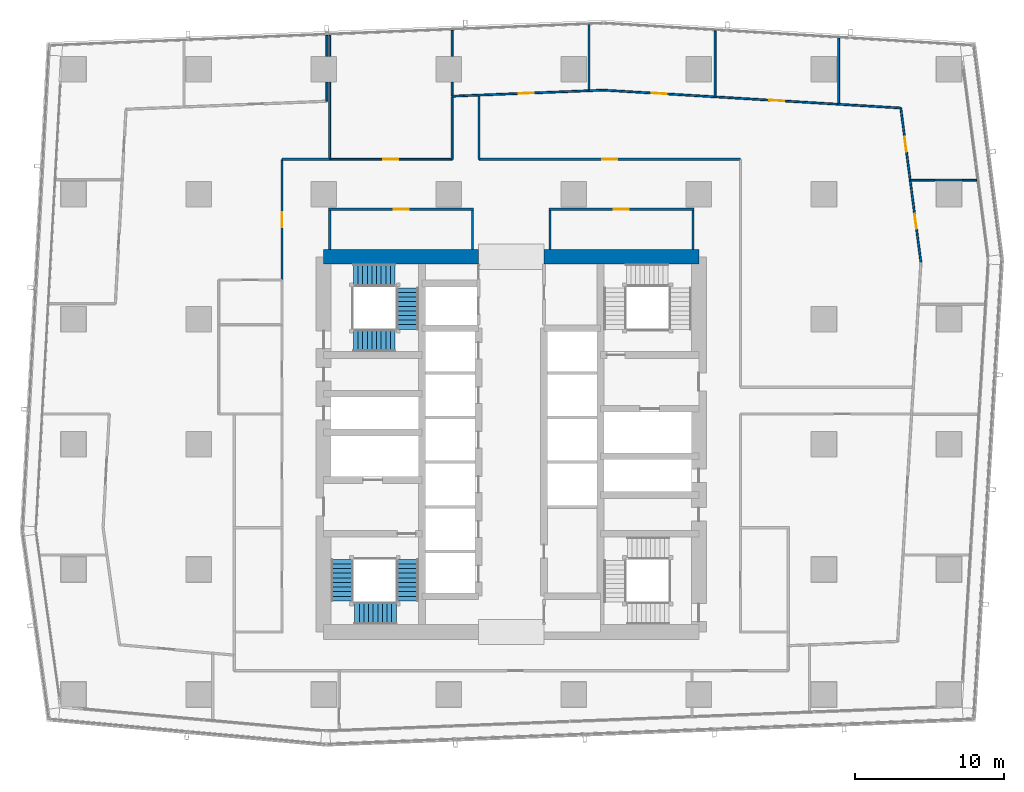
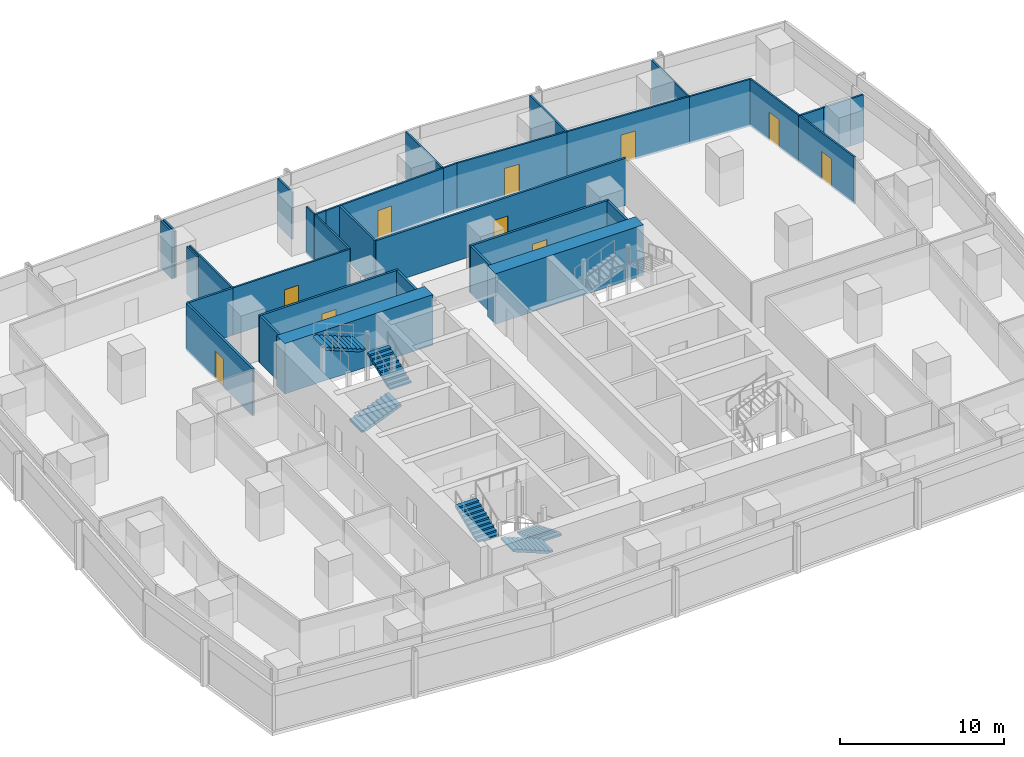
# One storey, part 31 of 40: 34 walls, 10 doors, 6 stair flights, 10 openings, 2 elements without a shape of their own.
"""IFC4 building model written with IfcOpenShell, lengths in metres."""

from ifc_helpers import new_model, si_unit, direction, frame, frame_2d, origin, place, context, subcontext, project, spatial, polyline, rectangle, outline, extrude, material, layer, layer_set, type_object, element, fill, aggregate, save


model = new_model("IFC4")

# Units and contexts
model_context = context("Model", 3, precision=1e-05, world=origin(), true_north=direction((0.0, 1.0)))
body_context = subcontext(model_context, "Body", "Model", "MODEL_VIEW")
ifc_project = project(units=[si_unit("LENGTHUNIT", "METRE"), si_unit("AREAUNIT", "SQUARE_METRE"), si_unit("VOLUMEUNIT", "CUBIC_METRE"), si_unit("PLANEANGLEUNIT", "RADIAN"), si_unit("MASSUNIT", "GRAM", prefix="KILO")], contexts=[model_context])

# Site, building, storey
site_placement = place(None, origin())
site = spatial("IfcSite", under=ifc_project, at=site_placement, CompositionType="ELEMENT")
building_placement = place(site_placement, origin())
building = spatial("IfcBuilding", under=site, at=building_placement, Name="Rekha Terrace Tower", CompositionType="ELEMENT")
storey_placement = place(building_placement, frame((0.0, 0.0, 102.800048828125)))
storey = spatial("IfcBuildingStorey", under=building, at=storey_placement, Name="L25", CompositionType="ELEMENT", Elevation=102.800048828125)

# Walls
ifc_material_1 = material(Name="Concrete M70", Category="concrete")
ifc_layer_1 = layer(ifc_material_1, 1.0)
ifc_layer_set_1 = layer_set([ifc_layer_1], Name="Concrete M70")
wall_type_1 = type_object("IfcWallType", Name="SW2 1000 core outer shear wall", PredefinedType="SHEAR", material=ifc_layer_set_1)
wall_1_placement = place(storey_placement, frame((25.199951171875, 46.199951171875, 0.0), z_axis=(0.0, 0.0, 1.0), x_axis=(1.0, 0.0, 0.0)))
element("IfcWall", 1, at=wall_1_placement, inside=storey, type_object=wall_type_1, Name="Core wall N1 L25", PredefinedType="SHEAR", context=body_context, shape_type="SweptSolid", body=[
    extrude(rectangle(XDim=10.400146484375, YDim=1.0, at=frame_2d((5.2001953125, 0.0))), origin(), (0.0, 0.0, 1.0), 3.75),
])
wall_2_placement = place(storey_placement, frame((40.0, 46.199951171875, 0.0), z_axis=(0.0, 0.0, 1.0), x_axis=(1.0, 0.0, 0.0)))
element("IfcWall", 2, at=wall_2_placement, inside=storey, type_object=wall_type_1, Name="Core wall N2 L25", PredefinedType="SHEAR", context=body_context, shape_type="SweptSolid", body=[
    extrude(rectangle(XDim=10.39990234375, YDim=1.0, at=frame_2d((5.199951171875, 0.0))), origin(), (0.0, 0.0, 1.0), 3.75),
])

# Wall, opening, door
ifc_material_2 = material(Name="Concrete block masonry, 1 hour", Category="masonry")
ifc_layer_2 = layer(ifc_material_2, 0.14990234375)
ifc_layer_set_2 = layer_set([ifc_layer_2], Name="Concrete block masonry, 1 hour")
wall_type_2 = type_object("IfcWallType", Name="WP2 150 tenancy partition", PredefinedType="PARTITIONING", material=ifc_layer_set_2)
wall_3_placement = place(storey_placement, frame((40.324951171875, 49.39990234375, 0.0), z_axis=(0.0, 0.0, 1.0), x_axis=(1.0, 0.0, 0.0)))
wall_3 = element("IfcWall", 3, at=wall_3_placement, inside=storey, type_object=wall_type_2, Name="Women's WC wall L25", PredefinedType="PARTITIONING", context=body_context, shape_type="SweptSolid", body=[
    extrude(rectangle(XDim=9.75, YDim=0.14990234375, at=frame_2d((4.875, 0.0))), origin(), (0.0, 0.0, 1.0), 3.5),
])
opening_1_placement = place(wall_3_placement, frame((4.375, 0.0, 0.0)))
opening_1 = element("IfcOpeningElement", 4, at=opening_1_placement, cuts=wall_3, Name="Opening D3", PredefinedType="OPENING", context=body_context, shape_type="SweptSolid", body=[
    extrude(rectangle(XDim=1.0, YDim=2.10009765625, at=frame_2d((0.5, 1.050048828125))), frame((0.0, 0.0849609375, 0.0), z_axis=(0.0, -1.0, 0.0), x_axis=(1.0, 0.0, 0.0)), (0.0, 0.0, 1.0), 0.169921875),
])
ifc_material_3 = material(Name="Laminated timber fire door", Category="wood")
door_type_1 = type_object("IfcDoorType", Name="D3 1000x2100 WC door", OperationType="SINGLE_SWING_LEFT", PredefinedType="DOOR", material=ifc_material_3)
door_1_placement = place(opening_1_placement, origin())
door_1 = element("IfcDoor", 5, at=door_1_placement, inside=storey, type_object=door_type_1, Name="Door women's wc L25", OperationType="SINGLE_SWING_LEFT", OverallHeight=2.10009765625, OverallWidth=1.0, PredefinedType="DOOR", context=body_context, shape_type="SweptSolid", body=[
    extrude(rectangle(XDim=1.0, YDim=2.10009765625, at=frame_2d((0.5, 1.050048828125))), frame((0.0, 0.02490234375, 0.0), z_axis=(0.0, -1.0, 0.0), x_axis=(1.0, 0.0, 0.0)), (0.0, 0.0, 1.0), 0.050048828125),
])
fill(opening_1, door_1)

# Walls
for number, where, z_axis, x_axis, name in (
    (6, (40.39990234375, 46.699951171875, 0.0), (0.0, 0.0, 1.0), (0.0, 1.0, 0.0), "Women's WC wall L25"),
    (7, (50.0, 46.699951171875, 0.0), (0.0, 0.0, 1.0), (0.0, 1.0, 0.0), "Women's WC wall L25"),
):
    element("IfcWall", number, at=place(storey_placement, frame(where, z_axis=z_axis, x_axis=x_axis)), inside=storey, type_object=wall_type_2, Name=name, PredefinedType="PARTITIONING", context=body_context, shape_type="SweptSolid", body=[
        extrude(rectangle(XDim=2.625, YDim=0.14990234375, at=frame_2d((1.3125, 0.0))), origin(), (0.0, 0.0, 1.0), 3.5),
    ])

# Wall, opening, door
wall_4_placement = place(storey_placement, frame((25.52490234375, 49.39990234375, 0.0), z_axis=(0.0, 0.0, 1.0), x_axis=(1.0, 0.0, 0.0)))
wall_4 = element("IfcWall", 8, at=wall_4_placement, inside=storey, type_object=wall_type_2, Name="Women's WC wall L25", PredefinedType="PARTITIONING", context=body_context, shape_type="SweptSolid", body=[
    extrude(rectangle(XDim=9.75, YDim=0.14990234375, at=frame_2d((4.875, 0.0))), origin(), (0.0, 0.0, 1.0), 3.5),
])
opening_2_placement = place(wall_4_placement, frame((4.375, 0.0, 0.0)))
opening_2 = element("IfcOpeningElement", 9, at=opening_2_placement, cuts=wall_4, Name="Opening D3", PredefinedType="OPENING", context=body_context, shape_type="SweptSolid", body=[
    extrude(rectangle(XDim=1.0, YDim=2.10009765625, at=frame_2d((0.5, 1.050048828125))), frame((0.0, 0.0849609375, 0.0), z_axis=(0.0, -1.0, 0.0), x_axis=(1.0, 0.0, 0.0)), (0.0, 0.0, 1.0), 0.169921875),
])
door_2_placement = place(opening_2_placement, origin())
door_2 = element("IfcDoor", 10, at=door_2_placement, inside=storey, type_object=door_type_1, Name="Door women's wc L25", OperationType="SINGLE_SWING_LEFT", OverallHeight=2.10009765625, OverallWidth=1.0, PredefinedType="DOOR", context=body_context, shape_type="SweptSolid", body=[
    extrude(rectangle(XDim=1.0, YDim=2.10009765625, at=frame_2d((0.5, 1.050048828125))), frame((0.0, 0.02490234375, 0.0), z_axis=(0.0, -1.0, 0.0), x_axis=(1.0, 0.0, 0.0)), (0.0, 0.0, 1.0), 0.050048828125),
])
fill(opening_2, door_2)

# Walls
for number, where, z_axis, x_axis, name in (
    (11, (25.60009765625, 46.699951171875, 0.0), (0.0, 0.0, 1.0), (0.0, 1.0, 0.0), "Women's WC wall L25"),
    (12, (35.199951171875, 46.699951171875, 0.0), (0.0, 0.0, 1.0), (0.0, 1.0, 0.0), "Women's WC wall L25"),
):
    element("IfcWall", number, at=place(storey_placement, frame(where, z_axis=z_axis, x_axis=x_axis)), inside=storey, type_object=wall_type_2, Name=name, PredefinedType="PARTITIONING", context=body_context, shape_type="SweptSolid", body=[
        extrude(rectangle(XDim=2.625, YDim=0.14990234375, at=frame_2d((1.3125, 0.0))), origin(), (0.0, 0.0, 1.0), 3.5),
    ])
wall_5_placement = place(storey_placement, frame((66.260009765625, 51.35498046875, 0.0), z_axis=(0.0, 0.0, 1.0), x_axis=(1.0, 0.0, 0.0)))
element("IfcWall", 13, at=wall_5_placement, inside=storey, type_object=wall_type_2, Name="Partition L25-O1", PredefinedType="PARTITIONING", context=body_context, shape_type="SweptSolid", body=[
    extrude(rectangle(XDim=1.8798828125, YDim=0.14990234375, at=frame_2d((0.93994140625, 0.0))), origin(), (0.0, 0.0, 1.0), 3.5),
])

# Wall, opening, door
wall_6_placement = place(storey_placement, frame((53.199951171875, 52.75, 0.0), z_axis=(0.0, 0.0, 1.0), x_axis=(-1.0, 0.0, 0.0)))
wall_6 = element("IfcWall", 14, at=wall_6_placement, inside=storey, type_object=wall_type_2, Name="Partition L25-O1", PredefinedType="PARTITIONING", context=body_context, shape_type="SweptSolid", body=[
    extrude(rectangle(XDim=17.573974609375, YDim=0.14990234375, at=frame_2d((8.787109375, 0.0))), origin(), (0.0, 0.0, 1.0), 3.5),
])
opening_3_placement = place(wall_6_placement, frame((8.287109375, 0.0, 0.0)))
opening_3 = element("IfcOpeningElement", 15, at=opening_3_placement, cuts=wall_6, Name="Opening D9", PredefinedType="OPENING", context=body_context, shape_type="SweptSolid", body=[
    extrude(rectangle(XDim=1.0, YDim=2.10009765625, at=frame_2d((0.5, 1.050048828125))), frame((0.0, 0.0849609375, 0.0), z_axis=(0.0, -1.0, 0.0), x_axis=(1.0, 0.0, 0.0)), (0.0, 0.0, 1.0), 0.169921875),
])
ifc_material_4 = material(Name="Timber fire door", Category="wood")
door_type_2 = type_object("IfcDoorType", Name="D9 1000x2100 office door", OperationType="SINGLE_SWING_LEFT", PredefinedType="DOOR", material=ifc_material_4)
door_3_placement = place(opening_3_placement, origin())
door_3 = element("IfcDoor", 16, at=door_3_placement, inside=storey, type_object=door_type_2, Name="Door open-plan office L25", OperationType="SINGLE_SWING_LEFT", OverallHeight=2.10009765625, OverallWidth=1.0, PredefinedType="DOOR", context=body_context, shape_type="SweptSolid", body=[
    extrude(rectangle(XDim=1.0, YDim=2.10009765625, at=frame_2d((0.5, 1.050048828125))), frame((0.0, 0.02490234375, 0.0), z_axis=(0.0, -1.0, 0.0), x_axis=(1.0, 0.0, 0.0)), (0.0, 0.0, 1.0), 0.050048828125),
])
fill(opening_3, door_3)

# Walls
wall_7_placement = place(storey_placement, frame((35.6259765625, 52.75, 0.0), z_axis=(0.0, 0.0, 1.0), x_axis=(0.0, 1.0, 0.0)))
element("IfcWall", 17, at=wall_7_placement, inside=storey, type_object=wall_type_2, Name="Partition L25-O1", PredefinedType="PARTITIONING", context=body_context, shape_type="SweptSolid", body=[
    extrude(rectangle(XDim=4.24609375, YDim=0.14990234375, at=frame_2d((2.123046875, 0.0))), origin(), (0.0, 0.0, 1.0), 3.5),
])
wall_8_placement = place(storey_placement, frame((25.60009765625, 52.75, 0.0), z_axis=(0.0, 0.0, 1.0), x_axis=(-1.0, 0.0, 0.0)))
element("IfcWall", 18, at=wall_8_placement, inside=storey, type_object=wall_type_2, Name="Partition L25-O2", PredefinedType="PARTITIONING", context=body_context, shape_type="SweptSolid", body=[
    extrude(rectangle(XDim=3.2001953125, YDim=0.14990234375, at=frame_2d((1.60009765625, 0.0))), origin(), (0.0, 0.0, 1.0), 3.5),
])

# Wall, opening, door
wall_9_placement = place(storey_placement, frame((22.39990234375, 52.75, 0.0), z_axis=(0.0, 0.0, 1.0), x_axis=(0.0, -1.0, 0.0)))
wall_9 = element("IfcWall", 19, at=wall_9_placement, inside=storey, type_object=wall_type_2, Name="Partition L25-O2", PredefinedType="PARTITIONING", context=body_context, shape_type="SweptSolid", body=[
    extrude(rectangle(XDim=8.113037109375, YDim=0.14990234375, at=frame_2d((4.056640625, 0.0))), origin(), (0.0, 0.0, 1.0), 3.5),
])
opening_4_placement = place(wall_9_placement, frame((3.555908203125, 0.0, 0.0)))
opening_4 = element("IfcOpeningElement", 20, at=opening_4_placement, cuts=wall_9, Name="Opening D9", PredefinedType="OPENING", context=body_context, shape_type="SweptSolid", body=[
    extrude(rectangle(XDim=1.0, YDim=2.10009765625, at=frame_2d((0.5, 1.050048828125))), frame((0.0, 0.0849609375, 0.0), z_axis=(0.0, -1.0, 0.0), x_axis=(1.0, 0.0, 0.0)), (0.0, 0.0, 1.0), 0.169921875),
])
door_4_placement = place(opening_4_placement, origin())
door_4 = element("IfcDoor", 21, at=door_4_placement, inside=storey, type_object=door_type_2, Name="Door open-plan office L25", OperationType="SINGLE_SWING_LEFT", OverallHeight=2.10009765625, OverallWidth=1.0, PredefinedType="DOOR", context=body_context, shape_type="SweptSolid", body=[
    extrude(rectangle(XDim=1.0, YDim=2.10009765625, at=frame_2d((0.5, 1.050048828125))), frame((0.0, 0.02490234375, 0.0), z_axis=(0.0, -1.0, 0.0), x_axis=(1.0, 0.0, 0.0)), (0.0, 0.0, 1.0), 0.050048828125),
])
fill(opening_4, door_4)

# Walls
ifc_material_5 = material(Name="Two layers of fire-rated gypsum board each side on steel studs, acoustic quilt, 1 hour", Category="steel")
ifc_layer_3 = layer(ifc_material_5, 0.125)
ifc_layer_set_3 = layer_set([ifc_layer_3], Name="Two layers of fire-rated gypsum board each side on steel studs, acoustic quilt, 1 hour")
wall_type_3 = type_object("IfcWallType", Name="WP3 125 office partition", PredefinedType="PARTITIONING", material=ifc_layer_set_3)
wall_10_placement = place(storey_placement, frame((64.59912109375, 51.337890625, 0.0), z_axis=(0.0, 0.0, 1.0), x_axis=(1.0, 0.0, 0.0)))
element("IfcWall", 22, at=wall_10_placement, inside=storey, type_object=wall_type_3, Name="Partition L25-06", PredefinedType="PARTITIONING", context=body_context, shape_type="SweptSolid", body=[
    extrude(rectangle(XDim=1.660888671875, YDim=0.125, at=frame_2d((0.83056640625, 0.0))), origin(), (0.0, 0.0, 1.0), 3.5),
])
wall_11_placement = place(storey_placement, frame((68.139892578125, 51.337890625, 0.0), z_axis=(0.0, 0.0, 1.0), x_axis=(1.0, 0.0, 0.0)))
element("IfcWall", 23, at=wall_11_placement, inside=storey, type_object=wall_type_3, Name="Partition L25-06", PredefinedType="PARTITIONING", context=body_context, shape_type="SweptSolid", body=[
    extrude(rectangle(XDim=0.9169921875, YDim=0.125, at=frame_2d((0.45849609375, 0.0))), origin(), (0.0, 0.0, 1.0), 3.5),
])

# Wall, opening, door
wall_12_placement = place(storey_placement, frame((65.318115234375, 45.818115234375, 0.0), z_axis=(0.0, 0.0, 1.0), x_axis=(-0.129166678345, 0.991622896673, 0.0)))
wall_12 = element("IfcWall", 24, at=wall_12_placement, inside=storey, type_object=wall_type_3, Name="Partition L25-06", PredefinedType="PARTITIONING", context=body_context, shape_type="SweptSolid", body=[
    extrude(rectangle(XDim=5.56640625, YDim=0.125, at=frame_2d((2.783203125, 0.0))), origin(), (0.0, 0.0, 1.0), 3.5),
])
opening_5_placement = place(wall_12_placement, frame((2.282958984375, 0.0, 0.0)))
opening_5 = element("IfcOpeningElement", 25, at=opening_5_placement, cuts=wall_12, Name="Opening D9", PredefinedType="OPENING", context=body_context, shape_type="SweptSolid", body=[
    extrude(rectangle(XDim=1.0, YDim=2.10009765625, at=frame_2d((0.5, 1.050048828125))), frame((0.0, 0.072509765625, 0.0), z_axis=(0.0, -1.0, 0.0), x_axis=(1.0, 0.0, 0.0)), (0.0, 0.0, 1.0), 0.14501953125),
])
door_5_placement = place(opening_5_placement, origin())
door_5 = element("IfcDoor", 26, at=door_5_placement, inside=storey, type_object=door_type_2, Name="Door office L25", OperationType="SINGLE_SWING_LEFT", OverallHeight=2.10009765625, OverallWidth=1.0, PredefinedType="DOOR", context=body_context, shape_type="SweptSolid", body=[
    extrude(rectangle(XDim=1.0, YDim=2.10009765625, at=frame_2d((0.5, 1.050048828125))), frame((0.0, 0.02490234375, 0.0), z_axis=(0.0, -1.0, 0.0), x_axis=(1.0, 0.0, 0.0)), (0.0, 0.0, 1.0), 0.050048828125),
])
fill(opening_5, door_5)

# Wall
wall_13_placement = place(storey_placement, frame((59.7880859375, 56.445068359375, 0.0), z_axis=(0.0, 0.0, 1.0), x_axis=(0.0, 1.0, 0.0)))
element("IfcWall", 27, at=wall_13_placement, inside=storey, type_object=wall_type_3, Name="Partition L25-07", PredefinedType="PARTITIONING", context=body_context, shape_type="SweptSolid", body=[
    extrude(rectangle(XDim=4.4580078125, YDim=0.125, at=frame_2d((2.22900390625, 0.0))), origin(), (0.0, 0.0, 1.0), 3.5),
])

# Wall, opening, door
wall_14_placement = place(storey_placement, frame((64.59912109375, 51.339111328125, 0.0), z_axis=(0.0, 0.0, 1.0), x_axis=(-0.129102549566, 0.991631247841, 0.0)))
wall_14 = element("IfcWall", 28, at=wall_14_placement, inside=storey, type_object=wall_type_3, Name="Partition L25-07", PredefinedType="PARTITIONING", context=body_context, shape_type="SweptSolid", body=[
    extrude(rectangle(XDim=4.89599609375, YDim=0.125, at=frame_2d((2.447998046875, 0.0))), origin(), (0.0, 0.0, 1.0), 3.5),
])
opening_6_placement = place(wall_14_placement, frame((1.947998046875, 0.0, 0.0)))
opening_6 = element("IfcOpeningElement", 29, at=opening_6_placement, cuts=wall_14, Name="Opening D9", PredefinedType="OPENING", context=body_context, shape_type="SweptSolid", body=[
    extrude(rectangle(XDim=1.0, YDim=2.10009765625, at=frame_2d((0.5, 1.050048828125))), frame((0.0, 0.072509765625, 0.0), z_axis=(0.0, -1.0, 0.0), x_axis=(1.0, 0.0, 0.0)), (0.0, 0.0, 1.0), 0.14501953125),
])
door_6_placement = place(opening_6_placement, origin())
door_6 = element("IfcDoor", 30, at=door_6_placement, inside=storey, type_object=door_type_2, Name="Door manager's office L25", OperationType="SINGLE_SWING_LEFT", OverallHeight=2.10009765625, OverallWidth=1.0, PredefinedType="DOOR", context=body_context, shape_type="SweptSolid", body=[
    extrude(rectangle(XDim=1.0, YDim=2.10009765625, at=frame_2d((0.5, 1.050048828125))), frame((0.0, 0.02490234375, 0.0), z_axis=(0.0, -1.0, 0.0), x_axis=(1.0, 0.0, 0.0)), (0.0, 0.0, 1.0), 0.050048828125),
])
fill(opening_6, door_6)

# Wall
wall_15_placement = place(storey_placement, frame((63.967041015625, 56.194091796875, 0.0), z_axis=(0.0, 0.0, 1.0), x_axis=(-0.998201427139, 0.059949235678, 0.0)))
element("IfcWall", 31, at=wall_15_placement, inside=storey, type_object=wall_type_3, Name="Partition L25-07", PredefinedType="PARTITIONING", context=body_context, shape_type="SweptSolid", body=[
    extrude(rectangle(XDim=4.1865234375, YDim=0.125, at=frame_2d((2.09326171875, 0.0))), origin(), (0.0, 0.0, 1.0), 3.5),
])

# Wall, opening, door
wall_16_placement = place(storey_placement, frame((59.787109375, 56.445068359375, 0.0), z_axis=(0.0, 0.0, 1.0), x_axis=(-0.998194005673, 0.060072681298, 0.0)))
wall_16 = element("IfcWall", 32, at=wall_16_placement, inside=storey, type_object=wall_type_3, Name="Partition L25-08", PredefinedType="PARTITIONING", context=body_context, shape_type="SweptSolid", body=[
    extrude(rectangle(XDim=8.306884765625, YDim=0.125, at=frame_2d((4.1533203125, 0.0))), origin(), (0.0, 0.0, 1.0), 3.5),
])
opening_7_placement = place(wall_16_placement, frame((3.654052734375, 0.0, 0.0)))
opening_7 = element("IfcOpeningElement", 33, at=opening_7_placement, cuts=wall_16, Name="Opening D9", PredefinedType="OPENING", context=body_context, shape_type="SweptSolid", body=[
    extrude(rectangle(XDim=1.0, YDim=2.10009765625, at=frame_2d((0.5, 1.050048828125))), frame((0.0, 0.072509765625, 0.0), z_axis=(0.0, -1.0, 0.0), x_axis=(1.0, 0.0, 0.0)), (0.0, 0.0, 1.0), 0.14501953125),
])
door_7_placement = place(opening_7_placement, origin())
door_7 = element("IfcDoor", 34, at=door_7_placement, inside=storey, type_object=door_type_2, Name="Door office L25", OperationType="SINGLE_SWING_LEFT", OverallHeight=2.10009765625, OverallWidth=1.0, PredefinedType="DOOR", context=body_context, shape_type="SweptSolid", body=[
    extrude(rectangle(XDim=1.0, YDim=2.10009765625, at=frame_2d((0.5, 1.050048828125))), frame((0.0, 0.02490234375, 0.0), z_axis=(0.0, -1.0, 0.0), x_axis=(1.0, 0.0, 0.0)), (0.0, 0.0, 1.0), 0.050048828125),
])
fill(opening_7, door_7)

# Walls
wall_17_placement = place(storey_placement, frame((51.4951171875, 56.944091796875, 0.0), z_axis=(0.0, 0.0, 1.0), x_axis=(0.0, 1.0, 0.0)))
element("IfcWall", 35, at=wall_17_placement, inside=storey, type_object=wall_type_3, Name="Partition L25-08", PredefinedType="PARTITIONING", context=body_context, shape_type="SweptSolid", body=[
    extrude(rectangle(XDim=4.427978515625, YDim=0.125, at=frame_2d((2.2138671875, 0.0))), origin(), (0.0, 0.0, 1.0), 3.5),
])
wall_18_placement = place(storey_placement, frame((43.02392578125, 57.35595703125, 0.0), z_axis=(0.0, 0.0, 1.0), x_axis=(0.0, 1.0, 0.0)))
element("IfcWall", 36, at=wall_18_placement, inside=storey, type_object=wall_type_3, Name="Partition L25-09", PredefinedType="PARTITIONING", context=body_context, shape_type="SweptSolid", body=[
    extrude(rectangle(XDim=4.453125, YDim=0.125, at=frame_2d((2.2265625, 0.0))), origin(), (0.0, 0.0, 1.0), 3.5),
])

# Wall, opening, door
wall_19_placement = place(storey_placement, frame((51.493896484375, 56.944091796875, 0.0), z_axis=(0.0, 0.0, 1.0), x_axis=(-0.998197924015, 0.060007536963, 0.0)))
wall_19 = element("IfcWall", 37, at=wall_19_placement, inside=storey, type_object=wall_type_3, Name="Partition L25-09", PredefinedType="PARTITIONING", context=body_context, shape_type="SweptSolid", body=[
    extrude(rectangle(XDim=7.514404296875, YDim=0.125, at=frame_2d((3.75732421875, 0.0))), origin(), (0.0, 0.0, 1.0), 3.5),
])
opening_8_placement = place(wall_19_placement, frame((3.257080078125, 0.0, 0.0)))
opening_8 = element("IfcOpeningElement", 38, at=opening_8_placement, cuts=wall_19, Name="Opening D9", PredefinedType="OPENING", context=body_context, shape_type="SweptSolid", body=[
    extrude(rectangle(XDim=1.0, YDim=2.10009765625, at=frame_2d((0.5, 1.050048828125))), frame((0.0, 0.072509765625, 0.0), z_axis=(0.0, -1.0, 0.0), x_axis=(1.0, 0.0, 0.0)), (0.0, 0.0, 1.0), 0.14501953125),
])
door_8_placement = place(opening_8_placement, origin())
door_8 = element("IfcDoor", 39, at=door_8_placement, inside=storey, type_object=door_type_2, Name="Door office L25", OperationType="SINGLE_SWING_LEFT", OverallHeight=2.10009765625, OverallWidth=1.0, PredefinedType="DOOR", context=body_context, shape_type="SweptSolid", body=[
    extrude(rectangle(XDim=1.0, YDim=2.10009765625, at=frame_2d((0.5, 1.050048828125))), frame((0.0, 0.02490234375, 0.0), z_axis=(0.0, -1.0, 0.0), x_axis=(1.0, 0.0, 0.0)), (0.0, 0.0, 1.0), 0.050048828125),
])
fill(opening_8, door_8)

# Walls
wall_20_placement = place(storey_placement, frame((43.992919921875, 57.39501953125, 0.0), z_axis=(0.0, 0.0, 1.0), x_axis=(-0.999188443352, -0.040279705451, 0.0)))
element("IfcWall", 40, at=wall_20_placement, inside=storey, type_object=wall_type_3, Name="Partition L25-09", PredefinedType="PARTITIONING", context=body_context, shape_type="SweptSolid", body=[
    extrude(rectangle(XDim=0.9697265625, YDim=0.125, at=frame_2d((0.48486328125, 0.0))), origin(), (0.0, 0.0, 1.0), 3.5),
])
wall_21_placement = place(storey_placement, frame((33.827880859375, 56.987060546875, 0.0), z_axis=(0.0, 0.0, 1.0), x_axis=(0.0, 1.0, 0.0)))
element("IfcWall", 41, at=wall_21_placement, inside=storey, type_object=wall_type_3, Name="Partition L25-10", PredefinedType="PARTITIONING", context=body_context, shape_type="SweptSolid", body=[
    extrude(rectangle(XDim=0.94287109375, YDim=0.125, at=frame_2d((0.471435546875, 0.0))), origin(), (0.0, 0.0, 1.0), 3.5),
])
wall_22_placement = place(storey_placement, frame((33.827880859375, 59.669921875, 0.0), z_axis=(0.0, 0.0, 1.0), x_axis=(0.0, 1.0, 0.0)))
element("IfcWall", 42, at=wall_22_placement, inside=storey, type_object=wall_type_3, Name="Partition L25-10", PredefinedType="PARTITIONING", context=body_context, shape_type="SweptSolid", body=[
    extrude(rectangle(XDim=1.740966796875, YDim=0.125, at=frame_2d((0.87060546875, 0.0))), origin(), (0.0, 0.0, 1.0), 3.5),
])

# Wall, opening, door
wall_23_placement = place(storey_placement, frame((43.02294921875, 57.35595703125, 0.0), z_axis=(0.0, 0.0, 1.0), x_axis=(-0.99919558042, -0.040102270134, 0.0)))
wall_23 = element("IfcWall", 43, at=wall_23_placement, inside=storey, type_object=wall_type_3, Name="Partition L25-10", PredefinedType="PARTITIONING", context=body_context, shape_type="SweptSolid", body=[
    extrude(rectangle(XDim=8.42578125, YDim=0.125, at=frame_2d((4.212890625, 0.0))), origin(), (0.0, 0.0, 1.0), 3.5),
])
opening_9_placement = place(wall_23_placement, frame((3.712890625, 0.0, 0.0)))
opening_9 = element("IfcOpeningElement", 44, at=opening_9_placement, cuts=wall_23, Name="Opening D9", PredefinedType="OPENING", context=body_context, shape_type="SweptSolid", body=[
    extrude(rectangle(XDim=1.0, YDim=2.10009765625, at=frame_2d((0.5, 1.050048828125))), frame((0.0, 0.072509765625, 0.0), z_axis=(0.0, -1.0, 0.0), x_axis=(1.0, 0.0, 0.0)), (0.0, 0.0, 1.0), 0.14501953125),
])
door_9_placement = place(opening_9_placement, origin())
door_9 = element("IfcDoor", 45, at=door_9_placement, inside=storey, type_object=door_type_2, Name="Door office L25", OperationType="SINGLE_SWING_LEFT", OverallHeight=2.10009765625, OverallWidth=1.0, PredefinedType="DOOR", context=body_context, shape_type="SweptSolid", body=[
    extrude(rectangle(XDim=1.0, YDim=2.10009765625, at=frame_2d((0.5, 1.050048828125))), frame((0.0, 0.02490234375, 0.0), z_axis=(0.0, -1.0, 0.0), x_axis=(1.0, 0.0, 0.0)), (0.0, 0.0, 1.0), 0.050048828125),
])
fill(opening_9, door_9)

# Walls
wall_24_placement = place(storey_placement, frame((34.60400390625, 57.01806640625, 0.0), z_axis=(0.0, 0.0, 1.0), x_axis=(-0.999202965854, -0.039917828457, 0.0)))
element("IfcWall", 46, at=wall_24_placement, inside=storey, type_object=wall_type_3, Name="Partition L25-10", PredefinedType="PARTITIONING", context=body_context, shape_type="SweptSolid", body=[
    extrude(rectangle(XDim=0.77685546875, YDim=0.125, at=frame_2d((0.388427734375, 0.0))), origin(), (0.0, 0.0, 1.0), 3.5),
])
wall_25_placement = place(storey_placement, frame((33.825927734375, 56.924072265625, 0.0), z_axis=(0.0, 0.0, 1.0), x_axis=(0.0, -1.0, 0.0)))
element("IfcWall", 47, at=wall_25_placement, inside=storey, type_object=wall_type_3, Name="Partition L25-12", PredefinedType="PARTITIONING", context=body_context, shape_type="SweptSolid", body=[
    extrude(rectangle(XDim=4.174072265625, YDim=0.125, at=frame_2d((2.0869140625, 0.0))), origin(), (0.0, 0.0, 1.0), 3.5),
])

# Wall, opening, door
wall_26_placement = place(storey_placement, frame((33.825927734375, 52.75, 0.0), z_axis=(0.0, 0.0, 1.0), x_axis=(-1.0, 0.0, 0.0)))
wall_26 = element("IfcWall", 48, at=wall_26_placement, inside=storey, type_object=wall_type_3, Name="Partition L25-12", PredefinedType="PARTITIONING", context=body_context, shape_type="SweptSolid", body=[
    extrude(rectangle(XDim=8.225830078125, YDim=0.125, at=frame_2d((4.11279296875, 0.0))), origin(), (0.0, 0.0, 1.0), 3.5),
])
opening_10_placement = place(wall_26_placement, frame((3.613037109375, 0.0, 0.0)))
opening_10 = element("IfcOpeningElement", 49, at=opening_10_placement, cuts=wall_26, Name="Opening D9", PredefinedType="OPENING", context=body_context, shape_type="SweptSolid", body=[
    extrude(rectangle(XDim=1.0, YDim=2.10009765625, at=frame_2d((0.5, 1.050048828125))), frame((0.0, 0.072509765625, 0.0), z_axis=(0.0, -1.0, 0.0), x_axis=(1.0, 0.0, 0.0)), (0.0, 0.0, 1.0), 0.14501953125),
])
door_10_placement = place(opening_10_placement, origin())
door_10 = element("IfcDoor", 50, at=door_10_placement, inside=storey, type_object=door_type_2, Name="Door reception L25", OperationType="SINGLE_SWING_LEFT", OverallHeight=2.10009765625, OverallWidth=1.0, PredefinedType="DOOR", context=body_context, shape_type="SweptSolid", body=[
    extrude(rectangle(XDim=1.0, YDim=2.10009765625, at=frame_2d((0.5, 1.050048828125))), frame((0.0, 0.02490234375, 0.0), z_axis=(0.0, -1.0, 0.0), x_axis=(1.0, 0.0, 0.0)), (0.0, 0.0, 1.0), 0.050048828125),
])
fill(opening_10, door_10)

# Walls
wall_27_placement = place(storey_placement, frame((25.60009765625, 52.75, 0.0), z_axis=(0.0, 0.0, 1.0), x_axis=(0.0, 1.0, 0.0)))
element("IfcWall", 51, at=wall_27_placement, inside=storey, type_object=wall_type_3, Name="Partition L25-12", PredefinedType="PARTITIONING", context=body_context, shape_type="SweptSolid", body=[
    extrude(rectangle(XDim=5.179931640625, YDim=0.125, at=frame_2d((2.58984375, 0.0))), origin(), (0.0, 0.0, 1.0), 3.5),
])
wall_28_placement = place(storey_placement, frame((25.60009765625, 59.669921875, 0.0), z_axis=(0.0, 0.0, 1.0), x_axis=(0.0, 1.0, 0.0)))
element("IfcWall", 52, at=wall_28_placement, inside=storey, type_object=wall_type_3, Name="Partition L25-12", PredefinedType="PARTITIONING", context=body_context, shape_type="SweptSolid", body=[
    extrude(rectangle(XDim=1.4111328125, YDim=0.125, at=frame_2d((0.70556640625, 0.0))), origin(), (0.0, 0.0, 1.0), 3.5),
])
wall_29_placement = place(storey_placement, frame((25.4130859375, 61.073974609375, 0.0), z_axis=(0.0, 0.0, 1.0), x_axis=(0.0, -1.0, 0.0)))
element("IfcWall", 53, at=wall_29_placement, inside=storey, type_object=wall_type_3, Name="Partition L25-13", PredefinedType="PARTITIONING", context=body_context, shape_type="SweptSolid", body=[
    extrude(rectangle(XDim=1.404052734375, YDim=0.125, at=frame_2d((0.7021484375, 0.0))), origin(), (0.0, 0.0, 1.0), 3.5),
])
wall_30_placement = place(storey_placement, frame((25.4130859375, 57.929931640625, 0.0), z_axis=(0.0, 0.0, 1.0), x_axis=(0.0, -1.0, 0.0)))
element("IfcWall", 54, at=wall_30_placement, inside=storey, type_object=wall_type_3, Name="Partition L25-13", PredefinedType="PARTITIONING", context=body_context, shape_type="SweptSolid", body=[
    extrude(rectangle(XDim=1.280029296875, YDim=0.125, at=frame_2d((0.64013671875, 0.0))), origin(), (0.0, 0.0, 1.0), 3.5),
])

# Stair, stair flights
ifc_material_6 = material(Name="Concrete M40", Category="concrete")
stair_type = type_object("IfcStairType", Name="ST30 stair, 30 risers of 125, going 310, 1500 wide flights, 3 flights", PredefinedType="HALF_TURN_STAIR", material=ifc_material_6)
stair_1_placement = place(storey_placement, origin())
stair_1 = element("IfcStair", 55, at=stair_1_placement, inside=storey, type_object=stair_type, Name="Stair ST1 L25 to L26", PredefinedType="HALF_TURN_STAIR")
stair_flight_type = type_object("IfcStairFlightType", Name="SF10 stair flight, 10 risers of 125, going 310, 1500 wide", PredefinedType="STRAIGHT", material=ifc_material_6)
stair_flight_1_placement = place(storey_placement, frame((30.824951171875, 25.875, 0.0), z_axis=(0.0, 0.0, 1.0), x_axis=(0.0, -1.0, 0.0)))
stair_flight_1 = element("IfcStairFlight", 56, at=stair_flight_1_placement, type_object=stair_flight_type, Name="ST1 flight 1", NumberOfRisers=10, NumberOfTreads=9, PredefinedType="STRAIGHT", RiserHeight=0.125, TreadLength=0.31, context=body_context, shape_type="SweptSolid", body=[
    extrude(outline(polyline([(0.0, 0.0), (0.0, 0.125), (0.31005859375, 0.125), (0.31005859375, 0.25), (0.6201171875, 0.25), (0.6201171875, 0.375), (0.929931640625, 0.375), (0.929931640625, 0.5), (1.239990234375, 0.5), (1.239990234375, 0.625), (1.550048828125, 0.625), (1.550048828125, 0.75), (1.860107421875, 0.75), (1.860107421875, 0.875), (2.169921875, 0.875), (2.169921875, 1.0), (2.47998046875, 1.0), (2.47998046875, 1.125), (2.7900390625, 1.125), (2.7900390625, 1.25), (2.7900390625, 0.96337890625), (0.40087890625, 0.0), (0.0, 0.0)])), frame((0.0, 0.75, 0.0), z_axis=(0.0, -1.0, 0.0), x_axis=(1.0, 0.0, 0.0)), (0.0, 0.0, 1.0), 1.5),
])
stair_flight_2_placement = place(storey_placement, frame((30.074951171875, 22.25, 1.25), z_axis=(0.0, 0.0, 1.0), x_axis=(-1.0, 0.0, 0.0)))
stair_flight_2 = element("IfcStairFlight", 57, at=stair_flight_2_placement, type_object=stair_flight_type, Name="ST1 flight 2", NumberOfRisers=10, NumberOfTreads=9, PredefinedType="STRAIGHT", RiserHeight=0.125, TreadLength=0.31, context=body_context, shape_type="SweptSolid", body=[
    extrude(outline(polyline([(0.0, 0.0), (0.0, 0.125), (0.31005859375, 0.125), (0.31005859375, 0.25), (0.6201171875, 0.25), (0.6201171875, 0.375), (0.929931640625, 0.375), (0.929931640625, 0.5), (1.239990234375, 0.5), (1.239990234375, 0.625), (1.550048828125, 0.625), (1.550048828125, 0.75), (1.860107421875, 0.75), (1.860107421875, 0.875), (2.169921875, 0.875), (2.169921875, 1.0), (2.47998046875, 1.0), (2.47998046875, 1.125), (2.7900390625, 1.125), (2.7900390625, 1.25), (2.7900390625, 0.96337890625), (0.40087890625, 0.0), (0.0, 0.0)])), frame((0.0, 0.75, 0.0), z_axis=(0.0, -1.0, 0.0), x_axis=(1.0, 0.0, 0.0)), (0.0, 0.0, 1.0), 1.5),
])
stair_flight_3_placement = place(storey_placement, frame((26.449951171875, 23.0849609375, 2.5), z_axis=(0.0, 0.0, 1.0), x_axis=(0.0, 1.0, 0.0)))
stair_flight_3 = element("IfcStairFlight", 58, at=stair_flight_3_placement, type_object=stair_flight_type, Name="ST1 flight 3", NumberOfRisers=10, NumberOfTreads=9, PredefinedType="STRAIGHT", RiserHeight=0.125, TreadLength=0.31, context=body_context, shape_type="SweptSolid", body=[
    extrude(outline(polyline([(0.0, 0.0), (0.0, 0.125), (0.31005859375, 0.125), (0.31005859375, 0.25), (0.6201171875, 0.25), (0.6201171875, 0.375), (0.929931640625, 0.375), (0.929931640625, 0.5), (1.239990234375, 0.5), (1.239990234375, 0.625), (1.550048828125, 0.625), (1.550048828125, 0.75), (1.860107421875, 0.75), (1.860107421875, 0.875), (2.169921875, 0.875), (2.169921875, 1.0), (2.47998046875, 1.0), (2.47998046875, 1.125), (2.7900390625, 1.125), (2.7900390625, 1.25), (2.7900390625, 0.96337890625), (0.40087890625, 0.0), (0.0, 0.0)])), frame((0.0, 0.75, 0.0), z_axis=(0.0, -1.0, 0.0), x_axis=(1.0, 0.0, 0.0)), (0.0, 0.0, 1.0), 1.5),
])
aggregate(stair_1, [stair_flight_1, stair_flight_2, stair_flight_3])

stair_2_placement = place(storey_placement, origin())
stair_2 = element("IfcStair", 59, at=stair_2_placement, inside=storey, type_object=stair_type, Name="Stair ST4 L25 to L26", PredefinedType="HALF_TURN_STAIR")
stair_flight_4_placement = place(storey_placement, frame((27.199951171875, 40.574951171875, 0.0), z_axis=(0.0, 0.0, 1.0), x_axis=(1.0, 0.0, 0.0)))
stair_flight_4 = element("IfcStairFlight", 60, at=stair_flight_4_placement, type_object=stair_flight_type, Name="ST4 flight 1", NumberOfRisers=10, NumberOfTreads=9, PredefinedType="STRAIGHT", RiserHeight=0.125, TreadLength=0.31, context=body_context, shape_type="SweptSolid", body=[
    extrude(outline(polyline([(0.0, 0.0), (0.0, 0.125), (0.31005859375, 0.125), (0.31005859375, 0.25), (0.6201171875, 0.25), (0.6201171875, 0.375), (0.929931640625, 0.375), (0.929931640625, 0.5), (1.239990234375, 0.5), (1.239990234375, 0.625), (1.550048828125, 0.625), (1.550048828125, 0.75), (1.860107421875, 0.75), (1.860107421875, 0.875), (2.169921875, 0.875), (2.169921875, 1.0), (2.47998046875, 1.0), (2.47998046875, 1.125), (2.7900390625, 1.125), (2.7900390625, 1.25), (2.7900390625, 0.96337890625), (0.40087890625, 0.0), (0.0, 0.0)])), frame((0.0, 0.75, 0.0), z_axis=(0.0, -1.0, 0.0), x_axis=(1.0, 0.0, 0.0)), (0.0, 0.0, 1.0), 1.5),
])
stair_flight_5_placement = place(storey_placement, frame((30.824951171875, 41.324951171875, 1.25), z_axis=(0.0, 0.0, 1.0), x_axis=(0.0, 1.0, 0.0)))
stair_flight_5 = element("IfcStairFlight", 61, at=stair_flight_5_placement, type_object=stair_flight_type, Name="ST4 flight 2", NumberOfRisers=10, NumberOfTreads=9, PredefinedType="STRAIGHT", RiserHeight=0.125, TreadLength=0.31, context=body_context, shape_type="SweptSolid", body=[
    extrude(outline(polyline([(0.0, 0.0), (0.0, 0.125), (0.31005859375, 0.125), (0.31005859375, 0.25), (0.6201171875, 0.25), (0.6201171875, 0.375), (0.929931640625, 0.375), (0.929931640625, 0.5), (1.239990234375, 0.5), (1.239990234375, 0.625), (1.550048828125, 0.625), (1.550048828125, 0.75), (1.860107421875, 0.75), (1.860107421875, 0.875), (2.169921875, 0.875), (2.169921875, 1.0), (2.47998046875, 1.0), (2.47998046875, 1.125), (2.7900390625, 1.125), (2.7900390625, 1.25), (2.7900390625, 0.96337890625), (0.40087890625, 0.0), (0.0, 0.0)])), frame((0.0, 0.75, 0.0), z_axis=(0.0, -1.0, 0.0), x_axis=(1.0, 0.0, 0.0)), (0.0, 0.0, 1.0), 1.5),
])
stair_flight_6_placement = place(storey_placement, frame((29.989990234375, 44.949951171875, 2.5), z_axis=(0.0, 0.0, 1.0), x_axis=(-1.0, 0.0, 0.0)))
stair_flight_6 = element("IfcStairFlight", 62, at=stair_flight_6_placement, type_object=stair_flight_type, Name="ST4 flight 3", NumberOfRisers=10, NumberOfTreads=9, PredefinedType="STRAIGHT", RiserHeight=0.125, TreadLength=0.31, context=body_context, shape_type="SweptSolid", body=[
    extrude(outline(polyline([(0.0, 0.0), (0.0, 0.125), (0.31005859375, 0.125), (0.31005859375, 0.25), (0.6201171875, 0.25), (0.6201171875, 0.375), (0.929931640625, 0.375), (0.929931640625, 0.5), (1.239990234375, 0.5), (1.239990234375, 0.625), (1.550048828125, 0.625), (1.550048828125, 0.75), (1.860107421875, 0.75), (1.860107421875, 0.875), (2.169921875, 0.875), (2.169921875, 1.0), (2.47998046875, 1.0), (2.47998046875, 1.125), (2.7900390625, 1.125), (2.7900390625, 1.25), (2.7900390625, 0.96337890625), (0.40087890625, 0.0), (0.0, 0.0)])), frame((0.0, 0.75, 0.0), z_axis=(0.0, -1.0, 0.0), x_axis=(1.0, 0.0, 0.0)), (0.0, 0.0, 1.0), 1.5),
])
aggregate(stair_2, [stair_flight_4, stair_flight_5, stair_flight_6])

save(model, "model.ifc")
